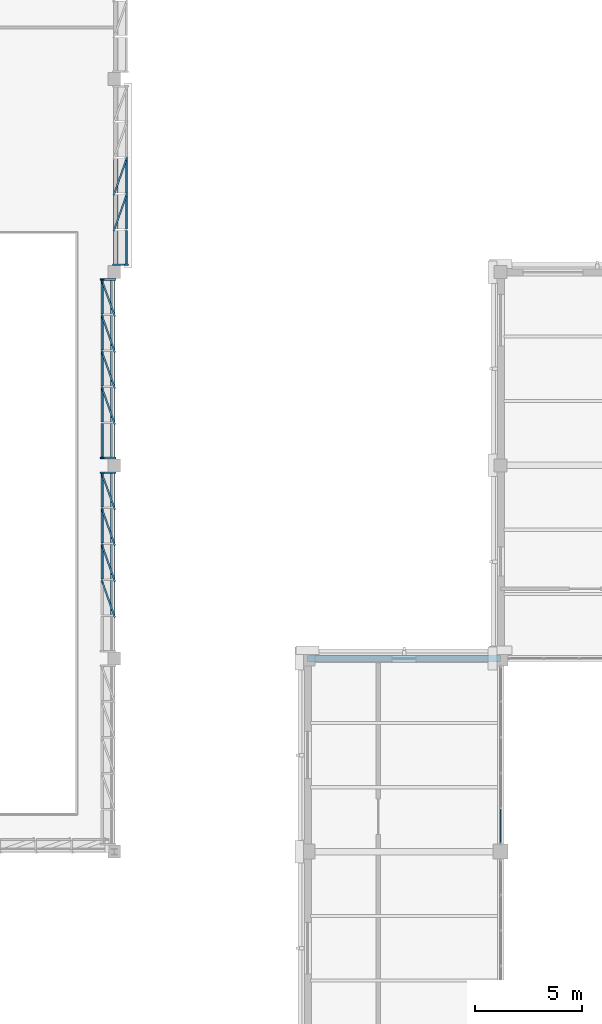
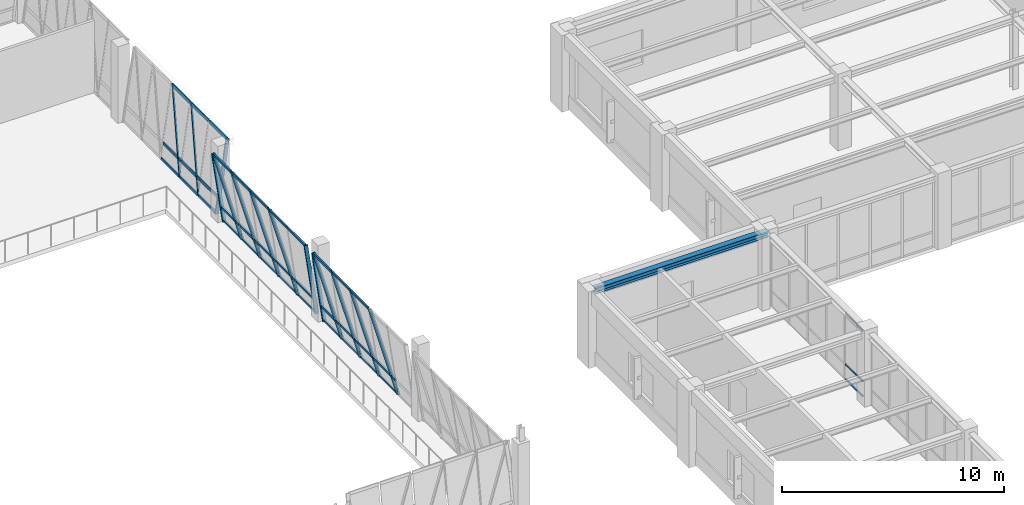
# One storey, part 64 of 108: 52 members, 1 beam, 4 elements without a shape of their own.
"""IFC4 building model written with IfcOpenShell, lengths in metres."""

from ifc_helpers import new_model, si_unit, direction, frame, origin, origin_2d, place, context, subcontext, project, spatial, hollow_rectangle, i_section, extrude, material, material_profile, profile_set, type_object, element, aggregate, save


model = new_model("IFC4")

# Units and contexts
model_context = context("Model", 3, precision=1e-05, world=origin(), true_north=direction((0.0, 1.0)))
body_context = subcontext(model_context, "Body", "Model", "MODEL_VIEW")
ifc_project = project(units=[si_unit("LENGTHUNIT", "METRE"), si_unit("AREAUNIT", "SQUARE_METRE"), si_unit("VOLUMEUNIT", "CUBIC_METRE"), si_unit("PLANEANGLEUNIT", "RADIAN"), si_unit("MASSUNIT", "GRAM", prefix="KILO")], contexts=[model_context])

# Site, building, storey
site_placement = place(None, origin())
site = spatial("IfcSite", under=ifc_project, at=site_placement, CompositionType="ELEMENT")
building_placement = place(site_placement, origin())
building = spatial("IfcBuilding", under=site, at=building_placement, Name="Lykobir Media Centre", CompositionType="ELEMENT")
storey_placement = place(building_placement, frame((0.0, 0.0, 15.0)))
storey = spatial("IfcBuildingStorey", under=building, at=storey_placement, Name="L03", CompositionType="ELEMENT", Elevation=15.0)

# Curtain wall, members
ifc_material_1 = material(Name="Anodized Aluminium AW-6060", Category="aluminium")
curtain_wall_type_1 = type_object("IfcCurtainWallType", Name="CW-V6-CR3", PredefinedType="NOTDEFINED", material=ifc_material_1)
curtain_wall_1_placement = place(storey_placement, origin())
curtain_wall_1 = element("IfcCurtainWall", 1, at=curtain_wall_1_placement, inside=storey, type_object=curtain_wall_type_1, Name="Curtain wall CW2-L03-0126", PredefinedType="NOTDEFINED")
ifc_material_profile_1 = material_profile(ifc_material_1, hollow_rectangle(XDim=0.074951171875, YDim=0.179931640625, WallThickness=0.00390625, at=origin_2d()), Name="ALU MULLION 75x180")
ifc_profile_set_1 = profile_set([ifc_material_profile_1], Name="Anodized Aluminium AW-6060")
member_type_1 = type_object("IfcMemberType", Name="CWM-180", PredefinedType="MULLION", material=ifc_profile_set_1)
member_1_placement = place(storey_placement, frame((81.0, 80.657470703125, 0.0), z_axis=(-0.142657694389, 0.0, 0.989772086003), x_axis=(0.0, -1.0, 0.0)))
member_1 = element("IfcMember", 2, at=member_1_placement, type_object=member_type_1, Name="CW2-L03-0126 mullion 1", PredefinedType="MULLION", context=body_context, shape_type="SweptSolid", body=[
    extrude(hollow_rectangle(XDim=0.074951171875, YDim=0.179931640625, WallThickness=0.00390625, at=origin_2d()), origin(), (0.0, 0.0, 1.0), 3.980712890625),
])
member_2_placement = place(storey_placement, frame((81.0, 79.01708984375, 0.0), z_axis=(-0.132760683435, 0.365976570158, 0.921105721961), x_axis=(-0.94005853495, -0.341013124188, 0.0)))
member_2 = element("IfcMember", 3, at=member_2_placement, type_object=member_type_1, Name="CW2-L03-0126 mullion 2", PredefinedType="MULLION", context=body_context, shape_type="SweptSolid", body=[
    extrude(hollow_rectangle(XDim=0.074951171875, YDim=0.179931640625, WallThickness=0.00390625, at=origin_2d()), origin(), (0.0, 0.0, 1.0), 4.27734375),
])
member_3_placement = place(storey_placement, frame((81.0, 77.339111328125, 0.0), z_axis=(-0.132271466696, 0.374579600655, 0.917711491631), x_axis=(-0.942937465835, -0.332969871798, 0.0)))
member_3 = element("IfcMember", 4, at=member_3_placement, type_object=member_type_1, Name="CW2-L03-0126 mullion 3", PredefinedType="MULLION", context=body_context, shape_type="SweptSolid", body=[
    extrude(hollow_rectangle(XDim=0.074951171875, YDim=0.179931640625, WallThickness=0.00390625, at=origin_2d()), origin(), (0.0, 0.0, 1.0), 4.293212890625),
])
member_4_placement = place(storey_placement, frame((81.0, 75.660888671875, 0.0), z_axis=(-0.132268649053, 0.374628486657, 0.917691942573), x_axis=(-0.942953333652, -0.332924932312, 0.0)))
member_4 = element("IfcMember", 5, at=member_4_placement, type_object=member_type_1, Name="CW2-L03-0126 mullion 4", PredefinedType="MULLION", context=body_context, shape_type="SweptSolid", body=[
    extrude(hollow_rectangle(XDim=0.074951171875, YDim=0.179931640625, WallThickness=0.00390625, at=origin_2d()), origin(), (0.0, 0.0, 1.0), 4.293212890625),
])
member_5_placement = place(storey_placement, frame((81.0, 73.98291015625, 0.0), z_axis=(-0.132268649053, 0.374628486657, 0.917691942573), x_axis=(-0.942953333652, -0.332924932312, 0.0)))
member_5 = element("IfcMember", 6, at=member_5_placement, type_object=member_type_1, Name="CW2-L03-0126 mullion 5", PredefinedType="MULLION", context=body_context, shape_type="SweptSolid", body=[
    extrude(hollow_rectangle(XDim=0.074951171875, YDim=0.179931640625, WallThickness=0.00390625, at=origin_2d()), origin(), (0.0, 0.0, 1.0), 4.293212890625),
])

curtain_wall_2_placement = place(storey_placement, origin())
curtain_wall_2 = element("IfcCurtainWall", 7, at=curtain_wall_2_placement, inside=storey, type_object=curtain_wall_type_1, Name="Curtain wall CW2-L03-0127", PredefinedType="NOTDEFINED")
member_6_placement = place(storey_placement, frame((81.0, 89.657470703125, 0.0), z_axis=(-0.142657694389, 0.0, 0.989772086003), x_axis=(0.0, -1.0, 0.0)))
member_6 = element("IfcMember", 8, at=member_6_placement, type_object=member_type_1, Name="CW2-L03-0127 mullion 1", PredefinedType="MULLION", context=body_context, shape_type="SweptSolid", body=[
    extrude(hollow_rectangle(XDim=0.074951171875, YDim=0.179931640625, WallThickness=0.00390625, at=origin_2d()), origin(), (0.0, 0.0, 1.0), 3.980712890625),
])
member_7_placement = place(storey_placement, frame((81.0, 88.01708984375, 0.0), z_axis=(-0.132760683435, 0.365976570158, 0.921105721961), x_axis=(-0.94005853495, -0.341013124188, 0.0)))
member_7 = element("IfcMember", 9, at=member_7_placement, type_object=member_type_1, Name="CW2-L03-0127 mullion 2", PredefinedType="MULLION", context=body_context, shape_type="SweptSolid", body=[
    extrude(hollow_rectangle(XDim=0.074951171875, YDim=0.179931640625, WallThickness=0.00390625, at=origin_2d()), origin(), (0.0, 0.0, 1.0), 4.27734375),
])
member_8_placement = place(storey_placement, frame((81.0, 86.339111328125, 0.0), z_axis=(-0.132271466696, 0.374579600655, 0.917711491631), x_axis=(-0.942937465835, -0.332969871798, 0.0)))
member_8 = element("IfcMember", 10, at=member_8_placement, type_object=member_type_1, Name="CW2-L03-0127 mullion 3", PredefinedType="MULLION", context=body_context, shape_type="SweptSolid", body=[
    extrude(hollow_rectangle(XDim=0.074951171875, YDim=0.179931640625, WallThickness=0.00390625, at=origin_2d()), origin(), (0.0, 0.0, 1.0), 4.293212890625),
])
member_9_placement = place(storey_placement, frame((81.0, 84.660888671875, 0.0), z_axis=(-0.132268649053, 0.374628486657, 0.917691942573), x_axis=(-0.942953333652, -0.332924932312, 0.0)))
member_9 = element("IfcMember", 11, at=member_9_placement, type_object=member_type_1, Name="CW2-L03-0127 mullion 4", PredefinedType="MULLION", context=body_context, shape_type="SweptSolid", body=[
    extrude(hollow_rectangle(XDim=0.074951171875, YDim=0.179931640625, WallThickness=0.00390625, at=origin_2d()), origin(), (0.0, 0.0, 1.0), 4.293212890625),
])
member_10_placement = place(storey_placement, frame((81.0, 82.98291015625, 0.0), z_axis=(-0.132268649053, 0.374628486657, 0.917691942573), x_axis=(-0.942953333652, -0.332924932312, 0.0)))
member_10 = element("IfcMember", 12, at=member_10_placement, type_object=member_type_1, Name="CW2-L03-0127 mullion 5", PredefinedType="MULLION", context=body_context, shape_type="SweptSolid", body=[
    extrude(hollow_rectangle(XDim=0.074951171875, YDim=0.179931640625, WallThickness=0.00390625, at=origin_2d()), origin(), (0.0, 0.0, 1.0), 4.293212890625),
])
member_11_placement = place(storey_placement, frame((81.0, 81.342529296875, 0.0), z_axis=(-0.142657694389, 0.0, 0.989772086003), x_axis=(0.0, -1.0, 0.0)))
member_11 = element("IfcMember", 13, at=member_11_placement, type_object=member_type_1, Name="CW2-L03-0127 mullion 6", PredefinedType="MULLION", context=body_context, shape_type="SweptSolid", body=[
    extrude(hollow_rectangle(XDim=0.074951171875, YDim=0.179931640625, WallThickness=0.00390625, at=origin_2d()), origin(), (0.0, 0.0, 1.0), 3.980712890625),
])

curtain_wall_3_placement = place(storey_placement, origin())
curtain_wall_3 = element("IfcCurtainWall", 14, at=curtain_wall_3_placement, inside=storey, type_object=curtain_wall_type_1, Name="Curtain wall CW2-L03-0128", PredefinedType="NOTDEFINED")
member_12_placement = place(storey_placement, frame((81.0, 90.342529296875, 0.0), z_axis=(0.142657694389, 0.0, 0.989772086003), x_axis=(0.0, -1.0, 0.0)))
member_12 = element("IfcMember", 15, at=member_12_placement, type_object=member_type_1, Name="CW2-L03-0128 mullion 1", PredefinedType="MULLION", context=body_context, shape_type="SweptSolid", body=[
    extrude(hollow_rectangle(XDim=0.074951171875, YDim=0.179931640625, WallThickness=0.00390625, at=origin_2d()), origin(), (0.0, 0.0, 1.0), 3.980712890625),
])
member_13_placement = place(storey_placement, frame((81.0, 91.98291015625, 0.0), z_axis=(0.132268649053, 0.374628486657, 0.917691942573), x_axis=(0.942953333652, -0.332924932312, 0.0)))
member_13 = element("IfcMember", 16, at=member_13_placement, type_object=member_type_1, Name="CW2-L03-0128 mullion 2", PredefinedType="MULLION", context=body_context, shape_type="SweptSolid", body=[
    extrude(hollow_rectangle(XDim=0.074951171875, YDim=0.179931640625, WallThickness=0.00390625, at=origin_2d()), origin(), (0.0, 0.0, 1.0), 4.293212890625),
])
member_14_placement = place(storey_placement, frame((81.0, 93.660888671875, 0.0), z_axis=(0.132268649053, 0.374628486657, 0.917691942573), x_axis=(0.942953333652, -0.332924932312, 0.0)))
member_14 = element("IfcMember", 17, at=member_14_placement, type_object=member_type_1, Name="CW2-L03-0128 mullion 3", PredefinedType="MULLION", context=body_context, shape_type="SweptSolid", body=[
    extrude(hollow_rectangle(XDim=0.074951171875, YDim=0.179931640625, WallThickness=0.00390625, at=origin_2d()), origin(), (0.0, 0.0, 1.0), 4.293212890625),
])

curtain_wall_type_2 = type_object("IfcCurtainWallType", Name="CW-COURT-B", PredefinedType="NOTDEFINED", material=ifc_material_1)
curtain_wall_4_placement = place(storey_placement, origin())
curtain_wall_4 = element("IfcCurtainWall", 18, at=curtain_wall_4_placement, inside=storey, type_object=curtain_wall_type_2, Name="Curtain wall CW2-L03-0145", PredefinedType="NOTDEFINED")
ifc_material_profile_2 = material_profile(ifc_material_1, hollow_rectangle(XDim=0.054931640625, YDim=0.094970703125, WallThickness=0.0029296875, at=origin_2d()), Name="ALU TRANSOM 55x95")
ifc_profile_set_2 = profile_set([ifc_material_profile_2], Name="Anodized Aluminium AW-6060")
member_type_2 = type_object("IfcMemberType", Name="CWT-095", PredefinedType="USERDEFINED", material=ifc_profile_set_2)
member_15_placement = place(storey_placement, frame((99.0, 64.985595703125, 0.027587890625), z_axis=(0.0, -1.0, 0.0), x_axis=(1.0, 0.0, 0.0)))
member_15 = element("IfcMember", 19, at=member_15_placement, type_object=member_type_2, Name="CW2-L03-0145 transom 5.1", ObjectType="TRANSOM", PredefinedType="USERDEFINED", context=body_context, shape_type="SweptSolid", body=[
    extrude(hollow_rectangle(XDim=0.054931640625, YDim=0.094970703125, WallThickness=0.0029296875, at=origin_2d()), origin(), (0.0, 0.0, 1.0), 1.57568359375),
])
member_16_placement = place(storey_placement, frame((99.0, 64.985595703125, 0.85009765625), z_axis=(0.0, -1.0, 0.0), x_axis=(1.0, 0.0, 0.0)))
member_16 = element("IfcMember", 20, at=member_16_placement, type_object=member_type_2, Name="CW2-L03-0145 transom 5.2", ObjectType="TRANSOM", PredefinedType="USERDEFINED", context=body_context, shape_type="SweptSolid", body=[
    extrude(hollow_rectangle(XDim=0.054931640625, YDim=0.094970703125, WallThickness=0.0029296875, at=origin_2d()), origin(), (0.0, 0.0, 1.0), 1.57568359375),
])
member_17_placement = place(storey_placement, frame((99.0, 64.985595703125, 3.607421875), z_axis=(0.0, -1.0, 0.0), x_axis=(1.0, 0.0, 0.0)))
member_17 = element("IfcMember", 21, at=member_17_placement, type_object=member_type_2, Name="CW2-L03-0145 transom 5.3", ObjectType="TRANSOM", PredefinedType="USERDEFINED", context=body_context, shape_type="SweptSolid", body=[
    extrude(hollow_rectangle(XDim=0.054931640625, YDim=0.094970703125, WallThickness=0.0029296875, at=origin_2d()), origin(), (0.0, 0.0, 1.0), 1.57568359375),
])
aggregate(curtain_wall_4, [member_15, member_16, member_17])

# Member
ifc_material_profile_3 = material_profile(ifc_material_1, hollow_rectangle(XDim=0.074951171875, YDim=0.14990234375, WallThickness=0.00341796875, at=origin_2d()), Name="ALU TRANSOM 75x150")
ifc_profile_set_3 = profile_set([ifc_material_profile_3], Name="Anodized Aluminium AW-6060")
member_type_3 = type_object("IfcMemberType", Name="CWT-150", PredefinedType="USERDEFINED", material=ifc_profile_set_3)
member_18_placement = place(storey_placement, frame((80.99462890625, 80.6201171875, 0.037109375), z_axis=(0.0, -1.0, 0.0), x_axis=(0.989776230908, 0.0, 0.142628933706)))
member_18 = element("IfcMember", 22, at=member_18_placement, type_object=member_type_3, Name="CW2-L03-0126 transom 1.1", ObjectType="TRANSOM", PredefinedType="USERDEFINED", context=body_context, shape_type="SweptSolid", body=[
    extrude(hollow_rectangle(XDim=0.074951171875, YDim=0.14990234375, WallThickness=0.00341796875, at=origin_2d()), origin(), (0.0, 0.0, 1.0), 1.565673828125),
])

member_19_placement = place(storey_placement, frame((80.87890625, 80.6201171875, 0.84130859375), z_axis=(0.0, -1.0, 0.0), x_axis=(0.989776230908, 0.0, 0.142628933706)))
member_19 = element("IfcMember", 23, at=member_19_placement, type_object=member_type_3, Name="CW2-L03-0126 transom 1.2", ObjectType="TRANSOM", PredefinedType="USERDEFINED", context=body_context, shape_type="SweptSolid", body=[
    extrude(hollow_rectangle(XDim=0.074951171875, YDim=0.14990234375, WallThickness=0.00341796875, at=origin_2d()), origin(), (0.0, 0.0, 1.0), 1.565673828125),
])

member_20_placement = place(storey_placement, frame((80.4375, 80.6201171875, 3.90283203125), z_axis=(0.0, -1.0, 0.0), x_axis=(0.989776230908, 0.0, 0.142628933706)))
member_20 = element("IfcMember", 24, at=member_20_placement, type_object=member_type_3, Name="CW2-L03-0126 transom 1.3", ObjectType="TRANSOM", PredefinedType="USERDEFINED", context=body_context, shape_type="SweptSolid", body=[
    extrude(hollow_rectangle(XDim=0.074951171875, YDim=0.14990234375, WallThickness=0.00341796875, at=origin_2d()), origin(), (0.0, 0.0, 1.0), 1.565673828125),
])

member_21_placement = place(storey_placement, frame((80.99462890625, 78.9794921875, 0.037109375), z_axis=(0.0, -1.0, 0.0), x_axis=(0.989776230908, 0.0, 0.142628933706)))
member_21 = element("IfcMember", 25, at=member_21_placement, type_object=member_type_3, Name="CW2-L03-0126 transom 2.1", ObjectType="TRANSOM", PredefinedType="USERDEFINED", context=body_context, shape_type="SweptSolid", body=[
    extrude(hollow_rectangle(XDim=0.074951171875, YDim=0.14990234375, WallThickness=0.00341796875, at=origin_2d()), origin(), (0.0, 0.0, 1.0), 1.60302734375),
])

member_22_placement = place(storey_placement, frame((80.87890625, 78.9794921875, 0.84130859375), z_axis=(0.0, -1.0, 0.0), x_axis=(0.989776230908, 0.0, 0.142628933706)))
member_22 = element("IfcMember", 26, at=member_22_placement, type_object=member_type_3, Name="CW2-L03-0126 transom 2.2", ObjectType="TRANSOM", PredefinedType="USERDEFINED", context=body_context, shape_type="SweptSolid", body=[
    extrude(hollow_rectangle(XDim=0.074951171875, YDim=0.14990234375, WallThickness=0.00341796875, at=origin_2d()), origin(), (0.0, 0.0, 1.0), 1.60302734375),
])

member_23_placement = place(storey_placement, frame((80.4375, 78.9794921875, 3.90283203125), z_axis=(0.0, -1.0, 0.0), x_axis=(0.989776230908, 0.0, 0.142628933706)))
member_23 = element("IfcMember", 27, at=member_23_placement, type_object=member_type_3, Name="CW2-L03-0126 transom 2.3", ObjectType="TRANSOM", PredefinedType="USERDEFINED", context=body_context, shape_type="SweptSolid", body=[
    extrude(hollow_rectangle(XDim=0.074951171875, YDim=0.14990234375, WallThickness=0.00341796875, at=origin_2d()), origin(), (0.0, 0.0, 1.0), 1.60302734375),
])

member_24_placement = place(storey_placement, frame((80.99462890625, 77.301513671875, 0.037109375), z_axis=(0.0, -1.0, 0.0), x_axis=(0.989776230908, 0.0, 0.142628933706)))
member_24 = element("IfcMember", 28, at=member_24_placement, type_object=member_type_3, Name="CW2-L03-0126 transom 3.1", ObjectType="TRANSOM", PredefinedType="USERDEFINED", context=body_context, shape_type="SweptSolid", body=[
    extrude(hollow_rectangle(XDim=0.074951171875, YDim=0.14990234375, WallThickness=0.00341796875, at=origin_2d()), origin(), (0.0, 0.0, 1.0), 1.60302734375),
])

member_25_placement = place(storey_placement, frame((80.87890625, 77.301513671875, 0.84130859375), z_axis=(0.0, -1.0, 0.0), x_axis=(0.989776230908, 0.0, 0.142628933706)))
member_25 = element("IfcMember", 29, at=member_25_placement, type_object=member_type_3, Name="CW2-L03-0126 transom 3.2", ObjectType="TRANSOM", PredefinedType="USERDEFINED", context=body_context, shape_type="SweptSolid", body=[
    extrude(hollow_rectangle(XDim=0.074951171875, YDim=0.14990234375, WallThickness=0.00341796875, at=origin_2d()), origin(), (0.0, 0.0, 1.0), 1.60302734375),
])

member_26_placement = place(storey_placement, frame((80.4375, 77.301513671875, 3.90283203125), z_axis=(0.0, -1.0, 0.0), x_axis=(0.989776230908, 0.0, 0.142628933706)))
member_26 = element("IfcMember", 30, at=member_26_placement, type_object=member_type_3, Name="CW2-L03-0126 transom 3.3", ObjectType="TRANSOM", PredefinedType="USERDEFINED", context=body_context, shape_type="SweptSolid", body=[
    extrude(hollow_rectangle(XDim=0.074951171875, YDim=0.14990234375, WallThickness=0.00341796875, at=origin_2d()), origin(), (0.0, 0.0, 1.0), 1.60302734375),
])

member_27_placement = place(storey_placement, frame((80.99462890625, 75.62353515625, 0.037109375), z_axis=(0.0, -1.0, 0.0), x_axis=(0.989776230908, 0.0, 0.142628933706)))
member_27 = element("IfcMember", 31, at=member_27_placement, type_object=member_type_3, Name="CW2-L03-0126 transom 4.1", ObjectType="TRANSOM", PredefinedType="USERDEFINED", context=body_context, shape_type="SweptSolid", body=[
    extrude(hollow_rectangle(XDim=0.074951171875, YDim=0.14990234375, WallThickness=0.00341796875, at=origin_2d()), origin(), (0.0, 0.0, 1.0), 1.60302734375),
])

member_28_placement = place(storey_placement, frame((80.87890625, 75.62353515625, 0.84130859375), z_axis=(0.0, -1.0, 0.0), x_axis=(0.989776230908, 0.0, 0.142628933706)))
member_28 = element("IfcMember", 32, at=member_28_placement, type_object=member_type_3, Name="CW2-L03-0126 transom 4.2", ObjectType="TRANSOM", PredefinedType="USERDEFINED", context=body_context, shape_type="SweptSolid", body=[
    extrude(hollow_rectangle(XDim=0.074951171875, YDim=0.14990234375, WallThickness=0.00341796875, at=origin_2d()), origin(), (0.0, 0.0, 1.0), 1.60302734375),
])

aggregate(curtain_wall_1, [member_1, member_2, member_3, member_4, member_5, member_18, member_19, member_20, member_21, member_22, member_23, member_24, member_25, member_26, member_27, member_28])

member_29_placement = place(storey_placement, frame((80.99462890625, 89.6201171875, 0.037109375), z_axis=(0.0, -1.0, 0.0), x_axis=(0.989776230908, 0.0, 0.142628933706)))
member_29 = element("IfcMember", 33, at=member_29_placement, type_object=member_type_3, Name="CW2-L03-0127 transom 1.1", ObjectType="TRANSOM", PredefinedType="USERDEFINED", context=body_context, shape_type="SweptSolid", body=[
    extrude(hollow_rectangle(XDim=0.074951171875, YDim=0.14990234375, WallThickness=0.00341796875, at=origin_2d()), origin(), (0.0, 0.0, 1.0), 1.565673828125),
])

member_30_placement = place(storey_placement, frame((80.87890625, 89.6201171875, 0.84130859375), z_axis=(0.0, -1.0, 0.0), x_axis=(0.989776230908, 0.0, 0.142628933706)))
member_30 = element("IfcMember", 34, at=member_30_placement, type_object=member_type_3, Name="CW2-L03-0127 transom 1.2", ObjectType="TRANSOM", PredefinedType="USERDEFINED", context=body_context, shape_type="SweptSolid", body=[
    extrude(hollow_rectangle(XDim=0.074951171875, YDim=0.14990234375, WallThickness=0.00341796875, at=origin_2d()), origin(), (0.0, 0.0, 1.0), 1.565673828125),
])

member_31_placement = place(storey_placement, frame((80.4375, 89.6201171875, 3.90283203125), z_axis=(0.0, -1.0, 0.0), x_axis=(0.989776230908, 0.0, 0.142628933706)))
member_31 = element("IfcMember", 35, at=member_31_placement, type_object=member_type_3, Name="CW2-L03-0127 transom 1.3", ObjectType="TRANSOM", PredefinedType="USERDEFINED", context=body_context, shape_type="SweptSolid", body=[
    extrude(hollow_rectangle(XDim=0.074951171875, YDim=0.14990234375, WallThickness=0.00341796875, at=origin_2d()), origin(), (0.0, 0.0, 1.0), 1.565673828125),
])

member_32_placement = place(storey_placement, frame((80.99462890625, 87.9794921875, 0.037109375), z_axis=(0.0, -1.0, 0.0), x_axis=(0.989776230908, 0.0, 0.142628933706)))
member_32 = element("IfcMember", 36, at=member_32_placement, type_object=member_type_3, Name="CW2-L03-0127 transom 2.1", ObjectType="TRANSOM", PredefinedType="USERDEFINED", context=body_context, shape_type="SweptSolid", body=[
    extrude(hollow_rectangle(XDim=0.074951171875, YDim=0.14990234375, WallThickness=0.00341796875, at=origin_2d()), origin(), (0.0, 0.0, 1.0), 1.60302734375),
])

member_33_placement = place(storey_placement, frame((80.87890625, 87.9794921875, 0.84130859375), z_axis=(0.0, -1.0, 0.0), x_axis=(0.989776230908, 0.0, 0.142628933706)))
member_33 = element("IfcMember", 37, at=member_33_placement, type_object=member_type_3, Name="CW2-L03-0127 transom 2.2", ObjectType="TRANSOM", PredefinedType="USERDEFINED", context=body_context, shape_type="SweptSolid", body=[
    extrude(hollow_rectangle(XDim=0.074951171875, YDim=0.14990234375, WallThickness=0.00341796875, at=origin_2d()), origin(), (0.0, 0.0, 1.0), 1.60302734375),
])

member_34_placement = place(storey_placement, frame((80.4375, 87.9794921875, 3.90283203125), z_axis=(0.0, -1.0, 0.0), x_axis=(0.989776230908, 0.0, 0.142628933706)))
member_34 = element("IfcMember", 38, at=member_34_placement, type_object=member_type_3, Name="CW2-L03-0127 transom 2.3", ObjectType="TRANSOM", PredefinedType="USERDEFINED", context=body_context, shape_type="SweptSolid", body=[
    extrude(hollow_rectangle(XDim=0.074951171875, YDim=0.14990234375, WallThickness=0.00341796875, at=origin_2d()), origin(), (0.0, 0.0, 1.0), 1.60302734375),
])

member_35_placement = place(storey_placement, frame((80.99462890625, 86.301513671875, 0.037109375), z_axis=(0.0, -1.0, 0.0), x_axis=(0.989776230908, 0.0, 0.142628933706)))
member_35 = element("IfcMember", 39, at=member_35_placement, type_object=member_type_3, Name="CW2-L03-0127 transom 3.1", ObjectType="TRANSOM", PredefinedType="USERDEFINED", context=body_context, shape_type="SweptSolid", body=[
    extrude(hollow_rectangle(XDim=0.074951171875, YDim=0.14990234375, WallThickness=0.00341796875, at=origin_2d()), origin(), (0.0, 0.0, 1.0), 1.60302734375),
])

member_36_placement = place(storey_placement, frame((80.87890625, 86.301513671875, 0.84130859375), z_axis=(0.0, -1.0, 0.0), x_axis=(0.989776230908, 0.0, 0.142628933706)))
member_36 = element("IfcMember", 40, at=member_36_placement, type_object=member_type_3, Name="CW2-L03-0127 transom 3.2", ObjectType="TRANSOM", PredefinedType="USERDEFINED", context=body_context, shape_type="SweptSolid", body=[
    extrude(hollow_rectangle(XDim=0.074951171875, YDim=0.14990234375, WallThickness=0.00341796875, at=origin_2d()), origin(), (0.0, 0.0, 1.0), 1.60302734375),
])

member_37_placement = place(storey_placement, frame((80.4375, 86.301513671875, 3.90283203125), z_axis=(0.0, -1.0, 0.0), x_axis=(0.989776230908, 0.0, 0.142628933706)))
member_37 = element("IfcMember", 41, at=member_37_placement, type_object=member_type_3, Name="CW2-L03-0127 transom 3.3", ObjectType="TRANSOM", PredefinedType="USERDEFINED", context=body_context, shape_type="SweptSolid", body=[
    extrude(hollow_rectangle(XDim=0.074951171875, YDim=0.14990234375, WallThickness=0.00341796875, at=origin_2d()), origin(), (0.0, 0.0, 1.0), 1.60302734375),
])

member_38_placement = place(storey_placement, frame((80.99462890625, 84.62353515625, 0.037109375), z_axis=(0.0, -1.0, 0.0), x_axis=(0.989776230908, 0.0, 0.142628933706)))
member_38 = element("IfcMember", 42, at=member_38_placement, type_object=member_type_3, Name="CW2-L03-0127 transom 4.1", ObjectType="TRANSOM", PredefinedType="USERDEFINED", context=body_context, shape_type="SweptSolid", body=[
    extrude(hollow_rectangle(XDim=0.074951171875, YDim=0.14990234375, WallThickness=0.00341796875, at=origin_2d()), origin(), (0.0, 0.0, 1.0), 1.60302734375),
])

member_39_placement = place(storey_placement, frame((80.87890625, 84.62353515625, 0.84130859375), z_axis=(0.0, -1.0, 0.0), x_axis=(0.989776230908, 0.0, 0.142628933706)))
member_39 = element("IfcMember", 43, at=member_39_placement, type_object=member_type_3, Name="CW2-L03-0127 transom 4.2", ObjectType="TRANSOM", PredefinedType="USERDEFINED", context=body_context, shape_type="SweptSolid", body=[
    extrude(hollow_rectangle(XDim=0.074951171875, YDim=0.14990234375, WallThickness=0.00341796875, at=origin_2d()), origin(), (0.0, 0.0, 1.0), 1.60302734375),
])

member_40_placement = place(storey_placement, frame((80.4375, 84.62353515625, 3.90283203125), z_axis=(0.0, -1.0, 0.0), x_axis=(0.989776230908, 0.0, 0.142628933706)))
member_40 = element("IfcMember", 44, at=member_40_placement, type_object=member_type_3, Name="CW2-L03-0127 transom 4.3", ObjectType="TRANSOM", PredefinedType="USERDEFINED", context=body_context, shape_type="SweptSolid", body=[
    extrude(hollow_rectangle(XDim=0.074951171875, YDim=0.14990234375, WallThickness=0.00341796875, at=origin_2d()), origin(), (0.0, 0.0, 1.0), 1.60302734375),
])

member_41_placement = place(storey_placement, frame((80.99462890625, 82.945556640625, 0.037109375), z_axis=(0.0, -1.0, 0.0), x_axis=(0.989776230908, 0.0, 0.142628933706)))
member_41 = element("IfcMember", 45, at=member_41_placement, type_object=member_type_3, Name="CW2-L03-0127 transom 5.1", ObjectType="TRANSOM", PredefinedType="USERDEFINED", context=body_context, shape_type="SweptSolid", body=[
    extrude(hollow_rectangle(XDim=0.074951171875, YDim=0.14990234375, WallThickness=0.00341796875, at=origin_2d()), origin(), (0.0, 0.0, 1.0), 1.565673828125),
])

member_42_placement = place(storey_placement, frame((80.87890625, 82.945556640625, 0.84130859375), z_axis=(0.0, -1.0, 0.0), x_axis=(0.989776230908, 0.0, 0.142628933706)))
member_42 = element("IfcMember", 46, at=member_42_placement, type_object=member_type_3, Name="CW2-L03-0127 transom 5.2", ObjectType="TRANSOM", PredefinedType="USERDEFINED", context=body_context, shape_type="SweptSolid", body=[
    extrude(hollow_rectangle(XDim=0.074951171875, YDim=0.14990234375, WallThickness=0.00341796875, at=origin_2d()), origin(), (0.0, 0.0, 1.0), 1.565673828125),
])

member_43_placement = place(storey_placement, frame((80.4375, 82.945556640625, 3.90283203125), z_axis=(0.0, -1.0, 0.0), x_axis=(0.989776230908, 0.0, 0.142628933706)))
member_43 = element("IfcMember", 47, at=member_43_placement, type_object=member_type_3, Name="CW2-L03-0127 transom 5.3", ObjectType="TRANSOM", PredefinedType="USERDEFINED", context=body_context, shape_type="SweptSolid", body=[
    extrude(hollow_rectangle(XDim=0.074951171875, YDim=0.14990234375, WallThickness=0.00341796875, at=origin_2d()), origin(), (0.0, 0.0, 1.0), 1.565673828125),
])

aggregate(curtain_wall_2, [member_6, member_7, member_8, member_9, member_10, member_11, member_29, member_30, member_31, member_32, member_33, member_34, member_35, member_36, member_37, member_38, member_39, member_40, member_41, member_42, member_43])

member_44_placement = place(storey_placement, frame((81.00537109375, 90.3798828125, 0.037109375), z_axis=(0.0, 1.0, 0.0), x_axis=(-0.989776230908, 0.0, 0.142628933706)))
member_44 = element("IfcMember", 48, at=member_44_placement, type_object=member_type_3, Name="CW2-L03-0128 transom 1.1", ObjectType="TRANSOM", PredefinedType="USERDEFINED", context=body_context, shape_type="SweptSolid", body=[
    extrude(hollow_rectangle(XDim=0.074951171875, YDim=0.14990234375, WallThickness=0.00341796875, at=origin_2d()), origin(), (0.0, 0.0, 1.0), 1.565673828125),
])

member_45_placement = place(storey_placement, frame((81.12109375, 90.3798828125, 0.84130859375), z_axis=(0.0, 1.0, 0.0), x_axis=(-0.989776230908, 0.0, 0.142628933706)))
member_45 = element("IfcMember", 49, at=member_45_placement, type_object=member_type_3, Name="CW2-L03-0128 transom 1.2", ObjectType="TRANSOM", PredefinedType="USERDEFINED", context=body_context, shape_type="SweptSolid", body=[
    extrude(hollow_rectangle(XDim=0.074951171875, YDim=0.14990234375, WallThickness=0.00341796875, at=origin_2d()), origin(), (0.0, 0.0, 1.0), 1.565673828125),
])

member_46_placement = place(storey_placement, frame((81.5625, 90.3798828125, 3.90283203125), z_axis=(0.0, 1.0, 0.0), x_axis=(-0.989776230908, 0.0, 0.142628933706)))
member_46 = element("IfcMember", 50, at=member_46_placement, type_object=member_type_3, Name="CW2-L03-0128 transom 1.3", ObjectType="TRANSOM", PredefinedType="USERDEFINED", context=body_context, shape_type="SweptSolid", body=[
    extrude(hollow_rectangle(XDim=0.074951171875, YDim=0.14990234375, WallThickness=0.00341796875, at=origin_2d()), origin(), (0.0, 0.0, 1.0), 1.565673828125),
])

member_47_placement = place(storey_placement, frame((81.00537109375, 92.0205078125, 0.037109375), z_axis=(0.0, 1.0, 0.0), x_axis=(-0.989776230908, 0.0, 0.142628933706)))
member_47 = element("IfcMember", 51, at=member_47_placement, type_object=member_type_3, Name="CW2-L03-0128 transom 2.1", ObjectType="TRANSOM", PredefinedType="USERDEFINED", context=body_context, shape_type="SweptSolid", body=[
    extrude(hollow_rectangle(XDim=0.074951171875, YDim=0.14990234375, WallThickness=0.00341796875, at=origin_2d()), origin(), (0.0, 0.0, 1.0), 1.60302734375),
])

member_48_placement = place(storey_placement, frame((81.12109375, 92.0205078125, 0.84130859375), z_axis=(0.0, 1.0, 0.0), x_axis=(-0.989776230908, 0.0, 0.142628933706)))
member_48 = element("IfcMember", 52, at=member_48_placement, type_object=member_type_3, Name="CW2-L03-0128 transom 2.2", ObjectType="TRANSOM", PredefinedType="USERDEFINED", context=body_context, shape_type="SweptSolid", body=[
    extrude(hollow_rectangle(XDim=0.074951171875, YDim=0.14990234375, WallThickness=0.00341796875, at=origin_2d()), origin(), (0.0, 0.0, 1.0), 1.60302734375),
])

member_49_placement = place(storey_placement, frame((81.5625, 92.0205078125, 3.90283203125), z_axis=(0.0, 1.0, 0.0), x_axis=(-0.989776230908, 0.0, 0.142628933706)))
member_49 = element("IfcMember", 53, at=member_49_placement, type_object=member_type_3, Name="CW2-L03-0128 transom 2.3", ObjectType="TRANSOM", PredefinedType="USERDEFINED", context=body_context, shape_type="SweptSolid", body=[
    extrude(hollow_rectangle(XDim=0.074951171875, YDim=0.14990234375, WallThickness=0.00341796875, at=origin_2d()), origin(), (0.0, 0.0, 1.0), 1.60302734375),
])

member_50_placement = place(storey_placement, frame((81.00537109375, 93.698486328125, 0.037109375), z_axis=(0.0, 1.0, 0.0), x_axis=(-0.989776230908, 0.0, 0.142628933706)))
member_50 = element("IfcMember", 54, at=member_50_placement, type_object=member_type_3, Name="CW2-L03-0128 transom 3.1", ObjectType="TRANSOM", PredefinedType="USERDEFINED", context=body_context, shape_type="SweptSolid", body=[
    extrude(hollow_rectangle(XDim=0.074951171875, YDim=0.14990234375, WallThickness=0.00341796875, at=origin_2d()), origin(), (0.0, 0.0, 1.0), 1.60302734375),
])

member_51_placement = place(storey_placement, frame((81.12109375, 93.698486328125, 0.84130859375), z_axis=(0.0, 1.0, 0.0), x_axis=(-0.989776230908, 0.0, 0.142628933706)))
member_51 = element("IfcMember", 55, at=member_51_placement, type_object=member_type_3, Name="CW2-L03-0128 transom 3.2", ObjectType="TRANSOM", PredefinedType="USERDEFINED", context=body_context, shape_type="SweptSolid", body=[
    extrude(hollow_rectangle(XDim=0.074951171875, YDim=0.14990234375, WallThickness=0.00341796875, at=origin_2d()), origin(), (0.0, 0.0, 1.0), 1.60302734375),
])

member_52_placement = place(storey_placement, frame((81.5625, 93.698486328125, 3.90283203125), z_axis=(0.0, 1.0, 0.0), x_axis=(-0.989776230908, 0.0, 0.142628933706)))
member_52 = element("IfcMember", 56, at=member_52_placement, type_object=member_type_3, Name="CW2-L03-0128 transom 3.3", ObjectType="TRANSOM", PredefinedType="USERDEFINED", context=body_context, shape_type="SweptSolid", body=[
    extrude(hollow_rectangle(XDim=0.074951171875, YDim=0.14990234375, WallThickness=0.00341796875, at=origin_2d()), origin(), (0.0, 0.0, 1.0), 1.60302734375),
])

aggregate(curtain_wall_3, [member_12, member_13, member_14, member_44, member_45, member_46, member_47, member_48, member_49, member_50, member_51, member_52])

# Beam
ifc_material_2 = material(Name="Steel S355", Category="steel")
ifc_material_profile_4 = material_profile(ifc_material_2, i_section(OverallWidth=0.300048828125, OverallDepth=0.31005859375, WebThickness=0.009033203125, FlangeThickness=0.015380859375, at=origin_2d()), Name="HEA 320")
ifc_profile_set_4 = profile_set([ifc_material_profile_4], Name="Steel S355")
beam_type = type_object("IfcBeamType", Name="SP-HEA320", PredefinedType="SPANDREL", material=ifc_profile_set_4)
beam_placement = place(storey_placement, frame((90.0, 72.0, 3.804931640625), z_axis=(1.0, 0.0, 0.0), x_axis=(0.0, 1.0, 0.0)))
element("IfcBeam", 57, at=beam_placement, inside=storey, type_object=beam_type, Name="Beam BM-L03-0900-0720-0990-0720-1880", PredefinedType="SPANDREL", context=body_context, shape_type="SweptSolid", body=[
    extrude(i_section(OverallWidth=0.300048828125, OverallDepth=0.31005859375, WebThickness=0.009033203125, FlangeThickness=0.015380859375, at=origin_2d()), origin(), (0.0, 0.0, 1.0), 9.0),
])

save(model, "model.ifc")
